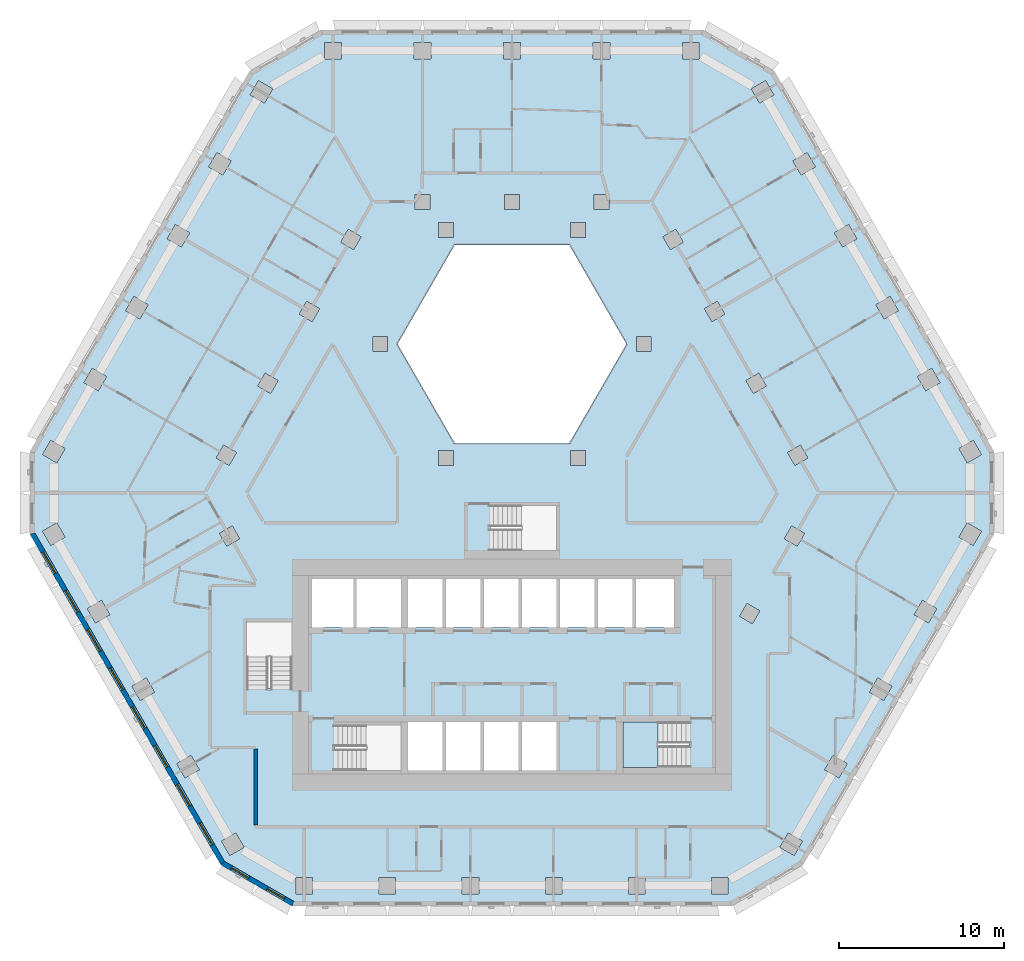
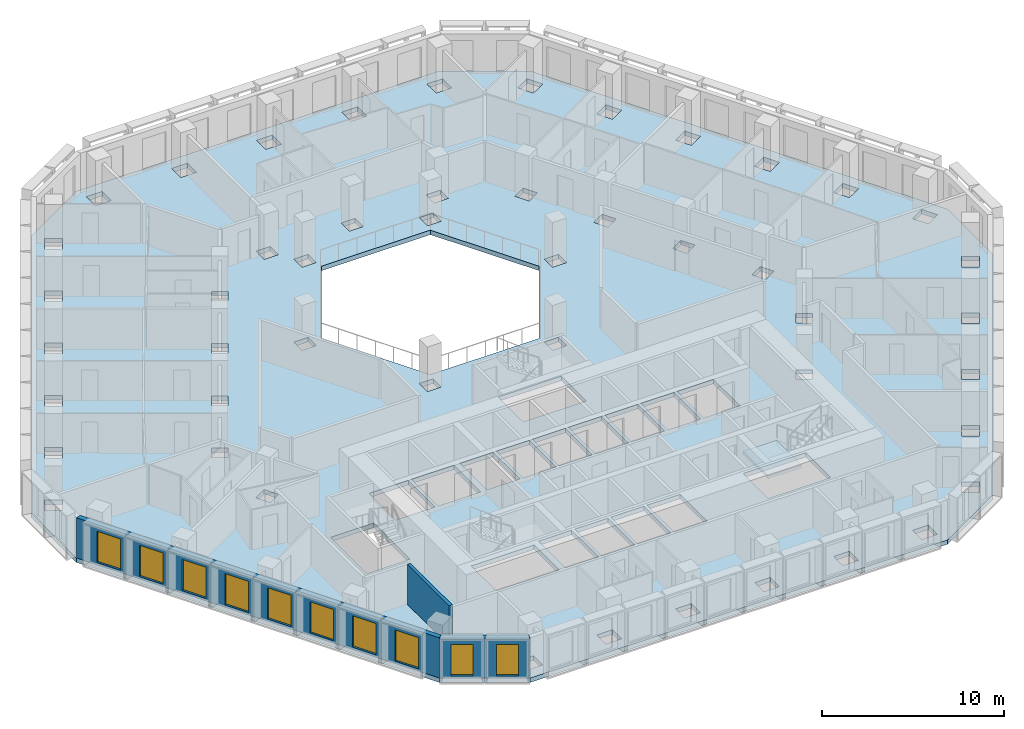
# One storey, part 2 of 18: 10 windows, 3 walls, 2 slabs, 10 openings, 1 element without a shape of its own.
"""IFC4 building model written with IfcOpenShell, lengths in metres."""

from ifc_helpers import new_model, si_unit, direction, frame, frame_2d, origin, place, context, subcontext, project, spatial, polyline, rectangle, outline, extrude, material, layer, layer_set, type_object, element, fill, aggregate, save


model = new_model("IFC4")

# Units and contexts
model_context = context("Model", 3, precision=1e-05, world=origin(), true_north=direction((0.0, 1.0)))
body_context = subcontext(model_context, "Body", "Model", "MODEL_VIEW")
ifc_project = project(units=[si_unit("LENGTHUNIT", "METRE"), si_unit("AREAUNIT", "SQUARE_METRE"), si_unit("VOLUMEUNIT", "CUBIC_METRE"), si_unit("PLANEANGLEUNIT", "RADIAN"), si_unit("MASSUNIT", "GRAM", prefix="KILO")], contexts=[model_context])

# Site, building, storey
site_placement = place(None, origin())
site = spatial("IfcSite", under=ifc_project, at=site_placement, CompositionType="ELEMENT")
building_placement = place(site_placement, origin())
building = spatial("IfcBuilding", under=site, at=building_placement, Name="Beryl Residences", CompositionType="ELEMENT")
storey_placement = place(building_placement, frame((0.0, 0.0, 93.0)))
storey = spatial("IfcBuildingStorey", under=building, at=storey_placement, Name="L28", CompositionType="ELEMENT", Elevation=93.0)

# Slab
ifc_material_1 = material(Name="Concrete C40/50", Category="concrete")
ifc_layer_1 = layer(ifc_material_1, 0.300048828125)
ifc_layer_set_1 = layer_set([ifc_layer_1], Name="SL7 PT floor slab 300 mm C40/50")
slab_type_1 = type_object("IfcSlabType", Name="SL7 PT floor slab 300 mm C40/50", PredefinedType="FLOOR", material=ifc_layer_set_1)
slab_1_placement = place(storey_placement, frame((0.0, 0.0, -0.300048828125)))
element("IfcSlab", 1, at=slab_1_placement, inside=storey, type_object=slab_type_1, Name="L28 slab 1", PredefinedType="FLOOR", context=body_context, shape_type="SweptSolid", body=[
    extrude(outline(polyline([(29.156982421875, -3.5), (17.60888671875, -23.5), (13.279052734375, -26.0), (-13.279052734375, -26.0), (-17.60888671875, -23.5), (-29.156982421875, -3.5), (-29.156982421875, 1.5), (-15.876953125, 24.5), (-11.547119140625, 27.0), (11.547119140625, 27.0), (15.876953125, 24.5), (29.156982421875, 1.5), (29.156982421875, -3.5)]), holes=[polyline([(28.39697265625, 1.31591796875), (27.89697265625, 2.181884765625), (27.031005859375, 1.681884765625), (27.531005859375, 0.81591796875), (28.39697265625, 1.31591796875)]), polyline([(28.39697265625, -3.31591796875), (27.531005859375, -2.81591796875), (27.031005859375, -3.681884765625), (27.89697265625, -4.181884765625), (28.39697265625, -3.31591796875)]), polyline([(25.385009765625, 6.532958984375), (24.51904296875, 6.032958984375), (25.01904296875, 5.1669921875), (25.885009765625, 5.6669921875), (25.385009765625, 6.532958984375)]), polyline([(25.68994140625, -8.00390625), (24.823974609375, -7.50390625), (24.323974609375, -8.3701171875), (25.18994140625, -8.8701171875), (25.68994140625, -8.00390625)]), polyline([(22.873046875, 10.883056640625), (22.007080078125, 10.383056640625), (22.507080078125, 9.51708984375), (23.373046875, 10.01708984375), (22.873046875, 10.883056640625)]), polyline([(22.116943359375, -12.19189453125), (21.616943359375, -13.05810546875), (22.48291015625, -13.55810546875), (22.98291015625, -12.69189453125), (22.116943359375, -12.19189453125)]), polyline([(20.362060546875, 15.23291015625), (19.49609375, 14.73291015625), (19.99609375, 13.866943359375), (20.862060546875, 14.366943359375), (20.362060546875, 15.23291015625)]), polyline([(19.777099609375, -18.24609375), (20.277099609375, -17.3798828125), (19.410888671875, -16.8798828125), (18.910888671875, -17.74609375), (19.777099609375, -18.24609375)]), polyline([(17.85009765625, 19.5830078125), (16.98388671875, 19.0830078125), (17.48388671875, 18.217041015625), (18.35009765625, 18.717041015625), (17.85009765625, 19.5830078125)]), polyline([(17.443115234375, 1.888916015625), (16.6630859375, 1.43896484375), (17.113037109375, 0.658935546875), (17.89306640625, 1.10888671875), (17.443115234375, 1.888916015625)]), polyline([(17.697998046875, -3.447021484375), (16.91796875, -2.9970703125), (16.468017578125, -3.777099609375), (17.248046875, -4.22705078125), (17.697998046875, -3.447021484375)]), polyline([(17.570068359375, -22.068115234375), (16.7041015625, -21.568115234375), (16.2041015625, -22.43408203125), (17.070068359375, -22.93408203125), (17.570068359375, -22.068115234375)]), polyline([(15.839111328125, 23.06689453125), (15.339111328125, 23.93310546875), (14.472900390625, 23.43310546875), (14.972900390625, 22.56689453125), (15.839111328125, 23.06689453125)]), polyline([(14.930908203125, 6.239990234375), (14.15087890625, 5.7900390625), (14.60107421875, 5.010009765625), (15.381103515625, 5.4599609375), (14.930908203125, 6.239990234375)]), polyline([(14.990966796875, -8.135009765625), (14.2109375, -7.68505859375), (13.760986328125, -8.465087890625), (14.541015625, -8.9150390625), (14.990966796875, -8.135009765625)]), polyline([(13.05810546875, -25.25), (13.05810546875, -24.25), (12.05810546875, -24.25), (12.05810546875, -25.25), (13.05810546875, -25.25)]), polyline([(12.419921875, 10.590087890625), (11.639892578125, 10.139892578125), (12.090087890625, 9.360107421875), (12.8701171875, 9.81005859375), (12.419921875, 10.590087890625)]), polyline([(11.324951171875, 26.25), (10.324951171875, 26.25), (10.324951171875, 25.25), (11.324951171875, 25.25), (11.324951171875, 26.25)]), polyline([(10.699951171875, -14.85009765625), (6.699951171875, -14.85009765625), (6.699951171875, -17.60009765625), (10.699951171875, -17.60009765625), (10.699951171875, -14.85009765625)]), polyline([(9.1279296875, 14.489990234375), (9.577880859375, 13.7099609375), (10.35791015625, 14.159912109375), (9.907958984375, 14.93994140625), (9.1279296875, 14.489990234375)]), polyline([(9.800048828125, -6.199951171875), (7.5, -6.199951171875), (7.5, -9.14990234375), (9.800048828125, -9.14990234375), (9.800048828125, -6.199951171875)]), polyline([(8.4169921875, 7.550048828125), (8.4169921875, 8.449951171875), (7.51708984375, 8.449951171875), (7.51708984375, 7.550048828125), (8.4169921875, 7.550048828125)]), polyline([(8.034912109375, -25.25), (8.034912109375, -24.25), (7.034912109375, -24.25), (7.034912109375, -25.25), (8.034912109375, -25.25)]), polyline([(5.199951171875, -6.199951171875), (5.199951171875, -9.14990234375), (7.300048828125, -9.14990234375), (7.300048828125, -6.199951171875), (5.199951171875, -6.199951171875)]), polyline([(3.464111328125, 14.0), (-3.464111328125, 14.0), (-6.92822265625, 8.0), (-3.464111328125, 2.0), (3.464111328125, 2.0), (6.92822265625, 8.0), (3.464111328125, 14.0)]), polyline([(4.912109375, 26.25), (4.912109375, 25.25), (5.912109375, 25.25), (5.912109375, 26.25), (4.912109375, 26.25)]), polyline([(4.9619140625, 17.050048828125), (4.9619140625, 16.14990234375), (5.862060546875, 16.14990234375), (5.862060546875, 17.050048828125), (4.9619140625, 17.050048828125)]), polyline([(2.89990234375, -9.14990234375), (5.0, -9.14990234375), (5.0, -6.199951171875), (2.89990234375, -6.199951171875), (2.89990234375, -9.14990234375)]), polyline([(4.43408203125, 14.449951171875), (4.43408203125, 15.35009765625), (3.533935546875, 15.35009765625), (3.533935546875, 14.449951171875), (4.43408203125, 14.449951171875)]), polyline([(4.43408203125, 0.64990234375), (4.43408203125, 1.550048828125), (3.533935546875, 1.550048828125), (3.533935546875, 0.64990234375), (4.43408203125, 0.64990234375)]), polyline([(2.011962890625, -25.25), (3.011962890625, -25.25), (3.011962890625, -24.25), (2.011962890625, -24.25), (2.011962890625, -25.25)]), polyline([(0.60009765625, -6.199951171875), (0.60009765625, -9.14990234375), (2.699951171875, -9.14990234375), (2.699951171875, -6.199951171875), (0.60009765625, -6.199951171875)]), polyline([(0.60009765625, -17.800048828125), (2.699951171875, -17.800048828125), (2.699951171875, -14.85009765625), (0.60009765625, -14.85009765625), (0.60009765625, -17.800048828125)]), polyline([(-1.300048828125, -1.75), (-1.300048828125, -4.5), (2.699951171875, -4.5), (2.699951171875, -1.75), (-1.300048828125, -1.75)]), polyline([(-0.5009765625, 25.25), (0.4990234375, 25.25), (0.4990234375, 26.25), (-0.5009765625, 26.25), (-0.5009765625, 25.25)]), polyline([(-0.450927734375, 17.050048828125), (-0.450927734375, 16.14990234375), (0.448974609375, 16.14990234375), (0.448974609375, 17.050048828125), (-0.450927734375, 17.050048828125)]), polyline([(-1.699951171875, -9.14990234375), (0.39990234375, -9.14990234375), (0.39990234375, -6.199951171875), (-1.699951171875, -6.199951171875), (-1.699951171875, -9.14990234375)]), polyline([(-1.699951171875, -17.800048828125), (0.39990234375, -17.800048828125), (0.39990234375, -14.85009765625), (-1.699951171875, -14.85009765625), (-1.699951171875, -17.800048828125)]), polyline([(-4.0, -9.14990234375), (-1.89990234375, -9.14990234375), (-1.89990234375, -6.199951171875), (-4.0, -6.199951171875), (-4.0, -9.14990234375)]), polyline([(-4.0, -17.800048828125), (-1.89990234375, -17.800048828125), (-1.89990234375, -14.85009765625), (-4.0, -14.85009765625), (-4.0, -17.800048828125)]), polyline([(-2.010986328125, -25.25), (-2.010986328125, -24.25), (-3.010986328125, -24.25), (-3.010986328125, -25.25), (-2.010986328125, -25.25)]), polyline([(-3.533935546875, 14.449951171875), (-3.533935546875, 15.35009765625), (-4.43408203125, 15.35009765625), (-4.43408203125, 14.449951171875), (-3.533935546875, 14.449951171875)]), polyline([(-3.533935546875, 0.64990234375), (-3.533935546875, 1.550048828125), (-4.43408203125, 1.550048828125), (-4.43408203125, 0.64990234375), (-3.533935546875, 0.64990234375)]), polyline([(-6.300048828125, -17.800048828125), (-4.199951171875, -17.800048828125), (-4.199951171875, -14.85009765625), (-6.300048828125, -14.85009765625), (-6.300048828125, -17.800048828125)]), polyline([(-6.300048828125, -9.14990234375), (-4.199951171875, -9.14990234375), (-4.199951171875, -6.199951171875), (-6.300048828125, -6.199951171875), (-6.300048828125, -9.14990234375)]), polyline([(-5.9140625, 26.25), (-5.9140625, 25.25), (-4.9140625, 25.25), (-4.9140625, 26.25), (-5.9140625, 26.25)]), polyline([(-5.864013671875, 16.14990234375), (-4.964111328125, 16.14990234375), (-4.964111328125, 17.050048828125), (-5.864013671875, 17.050048828125), (-5.864013671875, 16.14990234375)]), polyline([(-6.699951171875, -17.800048828125), (-6.699951171875, -15.050048828125), (-10.699951171875, -15.050048828125), (-10.699951171875, -17.800048828125), (-6.699951171875, -17.800048828125)]), polyline([(-9.39990234375, -9.14990234375), (-6.699951171875, -9.14990234375), (-6.699951171875, -6.199951171875), (-9.39990234375, -6.199951171875), (-9.39990234375, -9.14990234375)]), polyline([(-7.033935546875, -25.25), (-7.033935546875, -24.25), (-8.033935546875, -24.25), (-8.033935546875, -25.25), (-7.033935546875, -25.25)]), polyline([(-8.4169921875, 7.550048828125), (-7.51708984375, 7.550048828125), (-7.51708984375, 8.449951171875), (-8.4169921875, 8.449951171875), (-8.4169921875, 7.550048828125)]), polyline([(-9.577880859375, 13.7099609375), (-9.1279296875, 14.489990234375), (-9.907958984375, 14.93994140625), (-10.35791015625, 14.159912109375), (-9.577880859375, 13.7099609375)]), polyline([(-12.10009765625, -9.14990234375), (-9.60009765625, -9.14990234375), (-9.60009765625, -6.199951171875), (-12.10009765625, -6.199951171875), (-12.10009765625, -9.14990234375)]), polyline([(-11.326904296875, 26.25), (-11.326904296875, 25.25), (-10.326904296875, 25.25), (-10.326904296875, 26.25), (-11.326904296875, 26.25)]), polyline([(-12.868896484375, 9.81005859375), (-12.089111328125, 9.360107421875), (-11.638916015625, 10.139892578125), (-12.4189453125, 10.590087890625), (-12.868896484375, 9.81005859375)]), polyline([(-12.056884765625, -24.25), (-13.056884765625, -24.25), (-13.056884765625, -25.25), (-12.056884765625, -25.25), (-12.056884765625, -24.25)]), polyline([(-13.300048828125, -8.800048828125), (-16.050048828125, -8.800048828125), (-16.050048828125, -12.800048828125), (-13.300048828125, -12.800048828125), (-13.300048828125, -8.800048828125)]), polyline([(-15.381103515625, 5.4599609375), (-14.60107421875, 5.010009765625), (-14.15087890625, 5.7900390625), (-14.930908203125, 6.239990234375), (-15.381103515625, 5.4599609375)]), polyline([(-14.971923828125, 22.568115234375), (-14.471923828125, 23.43408203125), (-15.337890625, 23.93408203125), (-15.837890625, 23.068115234375), (-14.971923828125, 22.568115234375)]), polyline([(-17.070068359375, -22.93408203125), (-16.2041015625, -22.43408203125), (-16.7041015625, -21.568115234375), (-17.570068359375, -22.068115234375), (-17.070068359375, -22.93408203125)]), polyline([(-17.248046875, -4.22705078125), (-16.468017578125, -3.777099609375), (-16.91796875, -2.9970703125), (-17.697998046875, -3.447021484375), (-17.248046875, -4.22705078125)]), polyline([(-17.89208984375, 1.110107421875), (-17.112060546875, 0.659912109375), (-16.662109375, 1.43994140625), (-17.44189453125, 1.889892578125), (-17.89208984375, 1.110107421875)]), polyline([(-18.35009765625, 18.717041015625), (-17.48388671875, 18.217041015625), (-16.98388671875, 19.0830078125), (-17.85009765625, 19.5830078125), (-18.35009765625, 18.717041015625)]), polyline([(-19.777099609375, -18.24609375), (-18.910888671875, -17.74609375), (-19.410888671875, -16.8798828125), (-20.277099609375, -17.3798828125), (-19.777099609375, -18.24609375)]), polyline([(-20.861083984375, 14.366943359375), (-19.9951171875, 13.866943359375), (-19.4951171875, 14.73291015625), (-20.361083984375, 15.23291015625), (-20.861083984375, 14.366943359375)]), polyline([(-21.616943359375, -13.05810546875), (-22.116943359375, -12.19189453125), (-22.98291015625, -12.69189453125), (-22.48291015625, -13.55810546875), (-21.616943359375, -13.05810546875)]), polyline([(-23.373046875, 10.01708984375), (-22.507080078125, 9.51708984375), (-22.007080078125, 10.383056640625), (-22.873046875, 10.883056640625), (-23.373046875, 10.01708984375)]), polyline([(-25.18994140625, -8.8701171875), (-24.323974609375, -8.3701171875), (-24.823974609375, -7.50390625), (-25.68994140625, -8.00390625), (-25.18994140625, -8.8701171875)]), polyline([(-25.385009765625, 6.532958984375), (-25.885009765625, 5.6669921875), (-25.01904296875, 5.1669921875), (-24.51904296875, 6.032958984375), (-25.385009765625, 6.532958984375)]), polyline([(-28.39599609375, 1.31689453125), (-27.530029296875, 0.81689453125), (-27.030029296875, 1.68310546875), (-27.89599609375, 2.18310546875), (-28.39599609375, 1.31689453125)]), polyline([(-27.031005859375, -3.681884765625), (-27.531005859375, -2.81591796875), (-28.39697265625, -3.31591796875), (-27.89697265625, -4.181884765625), (-27.031005859375, -3.681884765625)])]), origin(), (0.0, 0.0, 1.0), 0.300048828125),
])

# Stair, slab
ifc_material_2 = material(Name="Concrete C40/50", Category="concrete")
stair_type = type_object("IfcStairType", Name="ST1 protected exit stair, half-turn, 1300 mm flights", PredefinedType="HALF_TURN_STAIR", material=ifc_material_2)
stair_placement = place(storey_placement, origin())
stair = element("IfcStair", 2, at=stair_placement, inside=storey, type_object=stair_type, Name="L28 PROTECTED EXIT STAIR ST-3", PredefinedType="HALF_TURN_STAIR")
ifc_material_3 = material(Name="Concrete C40/50", Category="concrete")
ifc_layer_2 = layer(ifc_material_3, 0.199951171875)
ifc_layer_set_2 = layer_set([ifc_layer_2], Name="SLD1 stair landing 200 mm")
slab_type_2 = type_object("IfcSlabType", Name="SLD1 stair landing 200 mm", PredefinedType="LANDING", material=ifc_layer_set_2)
slab_2_placement = place(storey_placement, frame((0.0, 0.0, 1.300048828125)))
slab_2 = element("IfcSlab", 3, at=slab_2_placement, type_object=slab_type_2, Name="ST-3 landing 1", PredefinedType="LANDING", context=body_context, shape_type="SweptSolid", body=[
    extrude(outline(polyline([(8.840087890625, -14.85009765625), (6.699951171875, -14.85009765625), (6.699951171875, -17.60009765625), (8.840087890625, -17.60009765625), (8.840087890625, -14.85009765625)])), origin(), (0.0, 0.0, 1.0), 0.199951171875),
])
aggregate(stair, [slab_2])

# Wall, openings, windows
ifc_material_4 = material(Name="Composite metal panel with mineral wool insulation")
ifc_layer_3 = layer(ifc_material_4, 0.300048828125)
ifc_layer_set_3 = layer_set([ifc_layer_3], Name="ES1 pale metal composite panel wall 300 mm")
wall_type_1 = type_object("IfcWallType", Name="ES1 pale metal composite panel wall 300 mm", PredefinedType="SOLIDWALL", material=ifc_layer_set_3)
wall_1_placement = place(storey_placement, frame((-29.027099609375, -3.425048828125, 0.0), z_axis=(0.0, 0.0, 1.0), x_axis=(0.500035407905, -0.866004960056, 0.0)))
wall_1 = element("IfcWall", 4, at=wall_1_placement, inside=storey, type_object=wall_type_1, Name="ES1 external wall L28 SW", PredefinedType="SOLIDWALL", context=body_context, shape_type="SweptSolid", body=[
    extrude(outline(polyline([(0.0, -0.14990234375), (23.094482421875, -0.14990234375), (23.01416015625, 0.14990234375), (0.080322265625, 0.14990234375), (0.0, -0.14990234375)])), origin(), (0.0, 0.0, 1.0), 2.699951171875),
])
opening_1_placement = place(wall_1_placement, frame((1.323974609375, 0.0, 0.14990234375)))
opening_1 = element("IfcOpeningElement", 5, at=opening_1_placement, cuts=wall_1, Name="Opening W1", PredefinedType="OPENING", context=body_context, shape_type="SweptSolid", body=[
    extrude(rectangle(XDim=1.5, YDim=2.10009765625, at=frame_2d((0.75, 1.050048828125))), frame((0.0, 0.159912109375, 0.0), z_axis=(0.0, -1.0, 0.0), x_axis=(1.0, 0.0, 0.0)), (0.0, 0.0, 1.0), 0.320068359375),
])
opening_2_placement = place(wall_1_placement, frame((4.031005859375, 0.0, 0.14990234375)))
opening_2 = element("IfcOpeningElement", 6, at=opening_2_placement, cuts=wall_1, Name="Opening W1", PredefinedType="OPENING", context=body_context, shape_type="SweptSolid", body=[
    extrude(rectangle(XDim=1.5, YDim=2.10009765625, at=frame_2d((0.75, 1.050048828125))), frame((0.0, 0.159912109375, 0.0), z_axis=(0.0, -1.0, 0.0), x_axis=(1.0, 0.0, 0.0)), (0.0, 0.0, 1.0), 0.320068359375),
])
opening_3_placement = place(wall_1_placement, frame((6.737060546875, 0.0, 0.14990234375)))
opening_3 = element("IfcOpeningElement", 7, at=opening_3_placement, cuts=wall_1, Name="Opening W1", PredefinedType="OPENING", context=body_context, shape_type="SweptSolid", body=[
    extrude(rectangle(XDim=1.5, YDim=2.10009765625, at=frame_2d((0.75, 1.050048828125))), frame((0.0, 0.159912109375, 0.0), z_axis=(0.0, -1.0, 0.0), x_axis=(1.0, 0.0, 0.0)), (0.0, 0.0, 1.0), 0.320068359375),
])
opening_4_placement = place(wall_1_placement, frame((9.444091796875, 0.0, 0.14990234375)))
opening_4 = element("IfcOpeningElement", 8, at=opening_4_placement, cuts=wall_1, Name="Opening W1", PredefinedType="OPENING", context=body_context, shape_type="SweptSolid", body=[
    extrude(rectangle(XDim=1.5, YDim=2.10009765625, at=frame_2d((0.75, 1.050048828125))), frame((0.0, 0.159912109375, 0.0), z_axis=(0.0, -1.0, 0.0), x_axis=(1.0, 0.0, 0.0)), (0.0, 0.0, 1.0), 0.320068359375),
])
opening_5_placement = place(wall_1_placement, frame((12.15087890625, 0.0, 0.14990234375)))
opening_5 = element("IfcOpeningElement", 9, at=opening_5_placement, cuts=wall_1, Name="Opening W1", PredefinedType="OPENING", context=body_context, shape_type="SweptSolid", body=[
    extrude(rectangle(XDim=1.5, YDim=2.10009765625, at=frame_2d((0.75, 1.050048828125))), frame((0.0, 0.159912109375, 0.0), z_axis=(0.0, -1.0, 0.0), x_axis=(1.0, 0.0, 0.0)), (0.0, 0.0, 1.0), 0.320068359375),
])
opening_6_placement = place(wall_1_placement, frame((14.85693359375, 0.0, 0.14990234375)))
opening_6 = element("IfcOpeningElement", 10, at=opening_6_placement, cuts=wall_1, Name="Opening W1", PredefinedType="OPENING", context=body_context, shape_type="SweptSolid", body=[
    extrude(rectangle(XDim=1.5, YDim=2.10009765625, at=frame_2d((0.75, 1.050048828125))), frame((0.0, 0.159912109375, 0.0), z_axis=(0.0, -1.0, 0.0), x_axis=(1.0, 0.0, 0.0)), (0.0, 0.0, 1.0), 0.320068359375),
])
opening_7_placement = place(wall_1_placement, frame((17.56396484375, 0.0, 0.14990234375)))
opening_7 = element("IfcOpeningElement", 11, at=opening_7_placement, cuts=wall_1, Name="Opening W1", PredefinedType="OPENING", context=body_context, shape_type="SweptSolid", body=[
    extrude(rectangle(XDim=1.5, YDim=2.10009765625, at=frame_2d((0.75, 1.050048828125))), frame((0.0, 0.159912109375, 0.0), z_axis=(0.0, -1.0, 0.0), x_axis=(1.0, 0.0, 0.0)), (0.0, 0.0, 1.0), 0.320068359375),
])
opening_8_placement = place(wall_1_placement, frame((20.27001953125, 0.0, 0.14990234375)))
opening_8 = element("IfcOpeningElement", 12, at=opening_8_placement, cuts=wall_1, Name="Opening W1", PredefinedType="OPENING", context=body_context, shape_type="SweptSolid", body=[
    extrude(rectangle(XDim=1.5, YDim=2.10009765625, at=frame_2d((0.75, 1.050048828125))), frame((0.0, 0.159912109375, 0.0), z_axis=(0.0, -1.0, 0.0), x_axis=(1.0, 0.0, 0.0)), (0.0, 0.0, 1.0), 0.320068359375),
])
ifc_material_5 = material(Name="Aluminium and clear glass", Category="aluminium")
window_type_1 = type_object("IfcWindowType", Name="W1 cell window 1500 x 2100 mm", PartitioningType="SINGLE_PANEL", PredefinedType="WINDOW", material=ifc_material_5)
window_1_placement = place(opening_1_placement, origin())
window_1 = element("IfcWindow", 13, at=window_1_placement, inside=storey, type_object=window_type_1, Name="W1 window L28 SW 1", OverallHeight=2.10009765625, OverallWidth=1.5, PartitioningType="SINGLE_PANEL", PredefinedType="WINDOW", context=body_context, shape_type="SweptSolid", body=[
    extrude(rectangle(XDim=1.5, YDim=2.10009765625, at=frame_2d((0.75, 1.050048828125))), frame((0.0, 0.030029296875, 0.0), z_axis=(0.0, -1.0, 0.0), x_axis=(1.0, 0.0, 0.0)), (0.0, 0.0, 1.0), 0.06005859375),
])
fill(opening_1, window_1)
window_2_placement = place(opening_2_placement, origin())
window_2 = element("IfcWindow", 14, at=window_2_placement, inside=storey, type_object=window_type_1, Name="W1 window L28 SW 2", OverallHeight=2.10009765625, OverallWidth=1.5, PartitioningType="SINGLE_PANEL", PredefinedType="WINDOW", context=body_context, shape_type="SweptSolid", body=[
    extrude(rectangle(XDim=1.5, YDim=2.10009765625, at=frame_2d((0.75, 1.050048828125))), frame((0.0, 0.030029296875, 0.0), z_axis=(0.0, -1.0, 0.0), x_axis=(1.0, 0.0, 0.0)), (0.0, 0.0, 1.0), 0.06005859375),
])
fill(opening_2, window_2)
window_3_placement = place(opening_3_placement, origin())
window_3 = element("IfcWindow", 15, at=window_3_placement, inside=storey, type_object=window_type_1, Name="W1 window L28 SW 3", OverallHeight=2.10009765625, OverallWidth=1.5, PartitioningType="SINGLE_PANEL", PredefinedType="WINDOW", context=body_context, shape_type="SweptSolid", body=[
    extrude(rectangle(XDim=1.5, YDim=2.10009765625, at=frame_2d((0.75, 1.050048828125))), frame((0.0, 0.030029296875, 0.0), z_axis=(0.0, -1.0, 0.0), x_axis=(1.0, 0.0, 0.0)), (0.0, 0.0, 1.0), 0.06005859375),
])
fill(opening_3, window_3)
window_4_placement = place(opening_4_placement, origin())
window_4 = element("IfcWindow", 16, at=window_4_placement, inside=storey, type_object=window_type_1, Name="W1 window L28 SW 4", OverallHeight=2.10009765625, OverallWidth=1.5, PartitioningType="SINGLE_PANEL", PredefinedType="WINDOW", context=body_context, shape_type="SweptSolid", body=[
    extrude(rectangle(XDim=1.5, YDim=2.10009765625, at=frame_2d((0.75, 1.050048828125))), frame((0.0, 0.030029296875, 0.0), z_axis=(0.0, -1.0, 0.0), x_axis=(1.0, 0.0, 0.0)), (0.0, 0.0, 1.0), 0.06005859375),
])
fill(opening_4, window_4)
window_5_placement = place(opening_5_placement, origin())
window_5 = element("IfcWindow", 17, at=window_5_placement, inside=storey, type_object=window_type_1, Name="W1 window L28 SW 5", OverallHeight=2.10009765625, OverallWidth=1.5, PartitioningType="SINGLE_PANEL", PredefinedType="WINDOW", context=body_context, shape_type="SweptSolid", body=[
    extrude(rectangle(XDim=1.5, YDim=2.10009765625, at=frame_2d((0.75, 1.050048828125))), frame((0.0, 0.030029296875, 0.0), z_axis=(0.0, -1.0, 0.0), x_axis=(1.0, 0.0, 0.0)), (0.0, 0.0, 1.0), 0.06005859375),
])
fill(opening_5, window_5)
window_6_placement = place(opening_6_placement, origin())
window_6 = element("IfcWindow", 18, at=window_6_placement, inside=storey, type_object=window_type_1, Name="W1 window L28 SW 6", OverallHeight=2.10009765625, OverallWidth=1.5, PartitioningType="SINGLE_PANEL", PredefinedType="WINDOW", context=body_context, shape_type="SweptSolid", body=[
    extrude(rectangle(XDim=1.5, YDim=2.10009765625, at=frame_2d((0.75, 1.050048828125))), frame((0.0, 0.030029296875, 0.0), z_axis=(0.0, -1.0, 0.0), x_axis=(1.0, 0.0, 0.0)), (0.0, 0.0, 1.0), 0.06005859375),
])
fill(opening_6, window_6)
window_7_placement = place(opening_7_placement, origin())
window_7 = element("IfcWindow", 19, at=window_7_placement, inside=storey, type_object=window_type_1, Name="W1 window L28 SW 7", OverallHeight=2.10009765625, OverallWidth=1.5, PartitioningType="SINGLE_PANEL", PredefinedType="WINDOW", context=body_context, shape_type="SweptSolid", body=[
    extrude(rectangle(XDim=1.5, YDim=2.10009765625, at=frame_2d((0.75, 1.050048828125))), frame((0.0, 0.030029296875, 0.0), z_axis=(0.0, -1.0, 0.0), x_axis=(1.0, 0.0, 0.0)), (0.0, 0.0, 1.0), 0.06005859375),
])
fill(opening_7, window_7)
window_8_placement = place(opening_8_placement, origin())
window_8 = element("IfcWindow", 20, at=window_8_placement, inside=storey, type_object=window_type_1, Name="W1 window L28 SW 8", OverallHeight=2.10009765625, OverallWidth=1.5, PartitioningType="SINGLE_PANEL", PredefinedType="WINDOW", context=body_context, shape_type="SweptSolid", body=[
    extrude(rectangle(XDim=1.5, YDim=2.10009765625, at=frame_2d((0.75, 1.050048828125))), frame((0.0, 0.030029296875, 0.0), z_axis=(0.0, -1.0, 0.0), x_axis=(1.0, 0.0, 0.0)), (0.0, 0.0, 1.0), 0.06005859375),
])
fill(opening_8, window_8)

wall_2_placement = place(storey_placement, frame((-17.533935546875, -23.3701171875, 0.0), z_axis=(0.0, 0.0, 1.0), x_axis=(0.866010750942, -0.50002537861, 0.0)))
wall_2 = element("IfcWall", 21, at=wall_2_placement, inside=storey, type_object=wall_type_1, Name="ES1 external wall L28 SW-S", PredefinedType="SOLIDWALL", context=body_context, shape_type="SweptSolid", body=[
    extrude(outline(polyline([(0.0, -0.14990234375), (4.999755859375, -0.14990234375), (4.91943359375, 0.14990234375), (0.080322265625, 0.14990234375), (0.0, -0.14990234375)])), origin(), (0.0, 0.0, 1.0), 2.699951171875),
])
opening_9_placement = place(wall_2_placement, frame((0.64990234375, 0.0, 0.14990234375)))
opening_9 = element("IfcOpeningElement", 22, at=opening_9_placement, cuts=wall_2, Name="Opening W2", PredefinedType="OPENING", context=body_context, shape_type="SweptSolid", body=[
    extrude(rectangle(XDim=1.199951171875, YDim=2.10009765625, at=frame_2d((0.60009765625, 1.050048828125))), frame((0.0, 0.159912109375, 0.0), z_axis=(0.0, -1.0, 0.0), x_axis=(1.0, 0.0, 0.0)), (0.0, 0.0, 1.0), 0.320068359375),
])
opening_10_placement = place(wall_2_placement, frame((3.14990234375, 0.0, 0.14990234375)))
opening_10 = element("IfcOpeningElement", 23, at=opening_10_placement, cuts=wall_2, Name="Opening W2", PredefinedType="OPENING", context=body_context, shape_type="SweptSolid", body=[
    extrude(rectangle(XDim=1.199951171875, YDim=2.10009765625, at=frame_2d((0.60009765625, 1.050048828125))), frame((0.0, 0.159912109375, 0.0), z_axis=(0.0, -1.0, 0.0), x_axis=(1.0, 0.0, 0.0)), (0.0, 0.0, 1.0), 0.320068359375),
])
ifc_material_6 = material(Name="Aluminium and clear glass", Category="aluminium")
window_type_2 = type_object("IfcWindowType", Name="W2 chamfer window 1200 x 2100 mm", PartitioningType="SINGLE_PANEL", PredefinedType="WINDOW", material=ifc_material_6)
window_9_placement = place(opening_9_placement, origin())
window_9 = element("IfcWindow", 24, at=window_9_placement, inside=storey, type_object=window_type_2, Name="W2 window L28 SW-S 1", OverallHeight=2.10009765625, OverallWidth=1.199951171875, PartitioningType="SINGLE_PANEL", PredefinedType="WINDOW", context=body_context, shape_type="SweptSolid", body=[
    extrude(rectangle(XDim=1.199951171875, YDim=2.10009765625, at=frame_2d((0.60009765625, 1.050048828125))), frame((0.0, 0.030029296875, 0.0), z_axis=(0.0, -1.0, 0.0), x_axis=(1.0, 0.0, 0.0)), (0.0, 0.0, 1.0), 0.06005859375),
])
fill(opening_9, window_9)
window_10_placement = place(opening_10_placement, origin())
window_10 = element("IfcWindow", 25, at=window_10_placement, inside=storey, type_object=window_type_2, Name="W2 window L28 SW-S 2", OverallHeight=2.10009765625, OverallWidth=1.199951171875, PartitioningType="SINGLE_PANEL", PredefinedType="WINDOW", context=body_context, shape_type="SweptSolid", body=[
    extrude(rectangle(XDim=1.199951171875, YDim=2.10009765625, at=frame_2d((0.60009765625, 1.050048828125))), frame((0.0, 0.030029296875, 0.0), z_axis=(0.0, -1.0, 0.0), x_axis=(1.0, 0.0, 0.0)), (0.0, 0.0, 1.0), 0.06005859375),
])
fill(opening_10, window_10)

# Wall
ifc_material_7 = material(Name="Double stud gypsum board wall")
ifc_layer_4 = layer(ifc_material_7, 0.199951171875)
ifc_layer_set_4 = layer_set([ifc_layer_4], Name="PT4 corridor wall 200 mm double stud")
wall_type_2 = type_object("IfcWallType", Name="PT4 corridor wall 200 mm double stud", PredefinedType="PARTITIONING", material=ifc_layer_set_4)
wall_3_placement = place(storey_placement, frame((-15.5, -16.5009765625, 0.0), z_axis=(0.0, 0.0, 1.0), x_axis=(0.0, -1.0, 0.0)))
element("IfcWall", 26, at=wall_3_placement, inside=storey, type_object=wall_type_2, Name="Wall PT4 L28 008", PredefinedType="PARTITIONING", context=body_context, shape_type="SweptSolid", body=[
    extrude(rectangle(XDim=4.59814453125, YDim=0.199951171875, at=frame_2d((2.299072265625, 0.0))), origin(), (0.0, 0.0, 1.0), 2.699951171875),
])

save(model, "model.ifc")
